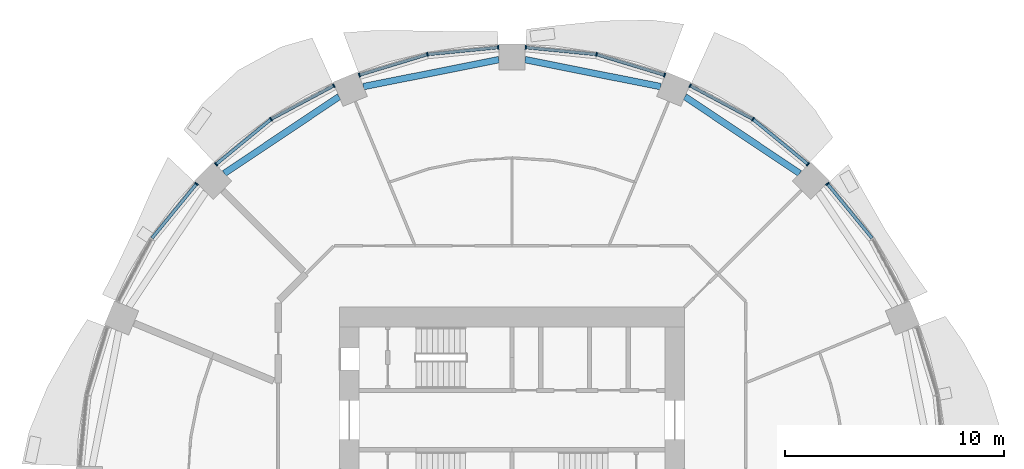
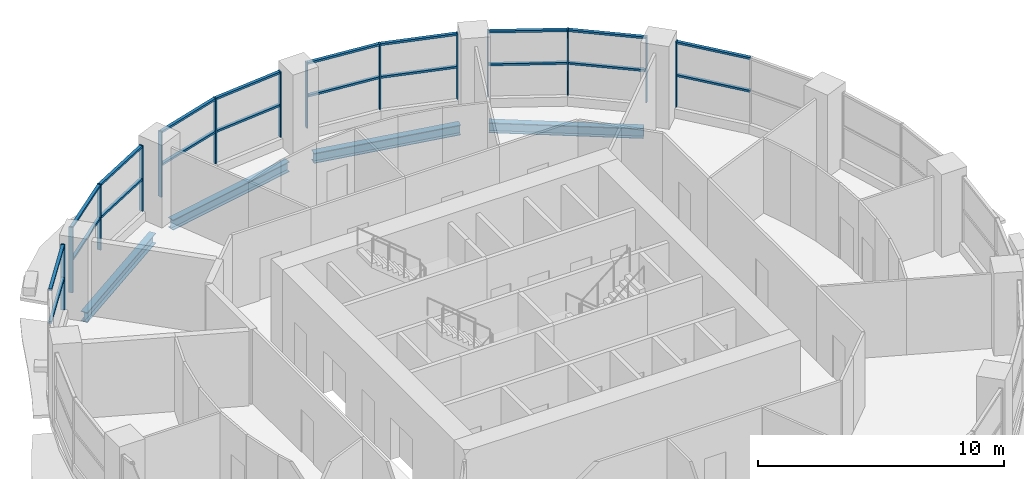
# One storey, part 5 of 14: 34 members, 4 beams, 6 elements without a shape of their own.
"""IFC4 building model written with IfcOpenShell, lengths in metres."""

from ifc_helpers import new_model, si_unit, direction, frame, origin, origin_2d, place, context, subcontext, project, spatial, rectangle, i_section, extrude, material, material_profile, profile_set, type_object, element, aggregate, save


model = new_model("IFC4")

# Units and contexts
model_context = context("Model", 3, precision=1e-05, world=origin(), true_north=direction((0.0, 1.0)))
body_context = subcontext(model_context, "Body", "Model", "MODEL_VIEW")
ifc_project = project(units=[si_unit("LENGTHUNIT", "METRE"), si_unit("AREAUNIT", "SQUARE_METRE"), si_unit("VOLUMEUNIT", "CUBIC_METRE"), si_unit("PLANEANGLEUNIT", "RADIAN"), si_unit("MASSUNIT", "GRAM", prefix="KILO")], contexts=[model_context])

# Site, building, storey
site_placement = place(None, origin())
site = spatial("IfcSite", under=ifc_project, at=site_placement, CompositionType="ELEMENT")
building_placement = place(site_placement, origin())
building = spatial("IfcBuilding", under=site, at=building_placement, Name="Polderwave Tower", CompositionType="ELEMENT")
storey_placement = place(building_placement, frame((0.0, 0.0, 14.39990234375)))
storey = spatial("IfcBuildingStorey", under=building, at=storey_placement, Name="L03", CompositionType="ELEMENT", Elevation=14.39990234375)

# Beams
ifc_material_1 = material(Name="Steel S355", Category="steel")
ifc_material_profile_1 = material_profile(ifc_material_1, i_section(OverallWidth=0.300048828125, OverallDepth=0.5, WebThickness=0.014404296875, FlangeThickness=0.028076171875, at=origin_2d()), Name="HE 500 B")
ifc_profile_set_1 = profile_set([ifc_material_profile_1], Name="Steel S355")
beam_type = type_object("IfcBeamType", Name="RING BEAM HE 500 B", PredefinedType="BEAM", material=ifc_profile_set_1)
for number, where, z_axis, x_axis, name in (
    (1, (13.13134765625, 13.97998046875, -0.64990234375), (-0.831471806715, 0.555566948836, 0.0), (-0.555566948836, -0.831471806715, 0.0), "ST-RB-L03-02"),
    (2, (6.781982421875, 17.94091796875, -0.64990234375), (-0.980782760841, 0.195102988285, 0.0), (-0.195102988285, -0.980782760841, 0.0), "ST-RB-L03-03"),
    (3, (-0.60009765625, 19.170654296875, -0.64990234375), (-0.980782760841, -0.195102988285, 0.0), (0.195102988285, -0.980782760841, 0.0), "ST-RB-L03-04"),
    (4, (-7.890625, 17.481689453125, -0.64990234375), (-0.831471806715, -0.555566948836, 0.0), (0.555566948836, -0.831471806715, 0.0), "ST-RB-L03-05"),
):
    element("IfcBeam", number, at=place(storey_placement, frame(where, z_axis=z_axis, x_axis=x_axis)), inside=storey, type_object=beam_type, Name=name, PredefinedType="BEAM", context=body_context, shape_type="SweptSolid", body=[
        extrude(i_section(OverallWidth=0.300048828125, OverallDepth=0.5, WebThickness=0.014404296875, FlangeThickness=0.028076171875, at=origin_2d()), origin(), (0.0, 0.0, 1.0), 6.302978515625),
    ])

# Curtain wall, member
ifc_material_2 = material(Name="Aluminium 6063-T6 and glass", Category="aluminium")
curtain_wall_type = type_object("IfcCurtainWallType", Name="Shopfront glazing wall", PredefinedType="NOTDEFINED", material=ifc_material_2)
curtain_wall_1_placement = place(storey_placement, origin())
curtain_wall_1 = element("IfcCurtainWall", 5, at=curtain_wall_1_placement, inside=storey, type_object=curtain_wall_type, Name="CW1 L03 01", PredefinedType="NOTDEFINED")
ifc_material_3 = material(Name="Aluminium 6063-T6", Category="aluminium")
ifc_material_profile_2 = material_profile(ifc_material_3, rectangle(XDim=0.179931640625, YDim=0.06005859375, at=origin_2d()), Name="AL 60x180")
ifc_profile_set_2 = profile_set([ifc_material_profile_2], Name="Aluminium 6063-T6")
member_type_1 = type_object("IfcMemberType", Name="Shopfront glazing mullion 60x180", PredefinedType="MULLION", material=ifc_profile_set_2)
member_1_placement = place(storey_placement, frame((14.39501953125, 13.5048828125, 0.4501953125), z_axis=(0.0, 0.0, 1.0), x_axis=(-0.772977235548, -0.634433758027, 0.0)))
member_1 = element("IfcMember", 6, at=member_1_placement, type_object=member_type_1, Name="CW1 mullion 3", PredefinedType="MULLION", context=body_context, shape_type="SweptSolid", body=[
    extrude(rectangle(XDim=0.179931640625, YDim=0.06005859375, at=origin_2d()), origin(), (0.0, 0.0, 1.0), 3.25),
])

# Curtain wall, members
curtain_wall_2_placement = place(storey_placement, origin())
curtain_wall_2 = element("IfcCurtainWall", 7, at=curtain_wall_2_placement, inside=storey, type_object=curtain_wall_type, Name="CW1 L03 02", PredefinedType="NOTDEFINED")
member_2_placement = place(storey_placement, frame((13.5048828125, 14.39501953125, 0.4501953125), z_axis=(0.0, 0.0, 1.0), x_axis=(-0.634433758027, -0.772977235548, 0.0)))
member_2 = element("IfcMember", 8, at=member_2_placement, type_object=member_type_1, Name="CW1 mullion 1", PredefinedType="MULLION", context=body_context, shape_type="SweptSolid", body=[
    extrude(rectangle(XDim=0.179931640625, YDim=0.06005859375, at=origin_2d()), origin(), (0.0, 0.0, 1.0), 3.25),
])
member_3_placement = place(storey_placement, frame((10.9951171875, 16.455078125, 0.4501953125), z_axis=(0.0, 0.0, 1.0), x_axis=(-0.555509281621, -0.831510335494, 0.0)))
member_3 = element("IfcMember", 9, at=member_3_placement, type_object=member_type_1, Name="CW1 mullion 2", PredefinedType="MULLION", context=body_context, shape_type="SweptSolid", body=[
    extrude(rectangle(XDim=0.179931640625, YDim=0.06005859375, at=origin_2d()), origin(), (0.0, 0.0, 1.0), 3.25),
])
member_4_placement = place(storey_placement, frame((8.131591796875, 17.98486328125, 0.4501953125), z_axis=(0.0, 0.0, 1.0), x_axis=(-0.471221253797, -0.882015039538, 0.0)))
member_4 = element("IfcMember", 10, at=member_4_placement, type_object=member_type_1, Name="CW1 mullion 3", PredefinedType="MULLION", context=body_context, shape_type="SweptSolid", body=[
    extrude(rectangle(XDim=0.179931640625, YDim=0.06005859375, at=origin_2d()), origin(), (0.0, 0.0, 1.0), 3.25),
])

curtain_wall_3_placement = place(storey_placement, origin())
curtain_wall_3 = element("IfcCurtainWall", 11, at=curtain_wall_3_placement, inside=storey, type_object=curtain_wall_type, Name="CW1 L03 03", PredefinedType="NOTDEFINED")
member_5_placement = place(storey_placement, frame((6.96728515625, 18.4677734375, 0.4501953125), z_axis=(0.0, 0.0, 1.0), x_axis=(-0.29028634743, -0.956939829088, 0.0)))
member_5 = element("IfcMember", 12, at=member_5_placement, type_object=member_type_1, Name="CW1 mullion 1", PredefinedType="MULLION", context=body_context, shape_type="SweptSolid", body=[
    extrude(rectangle(XDim=0.179931640625, YDim=0.06005859375, at=origin_2d()), origin(), (0.0, 0.0, 1.0), 3.25),
])
member_6_placement = place(storey_placement, frame((3.861083984375, 19.409912109375, 0.4501953125), z_axis=(0.0, 0.0, 1.0), x_axis=(-0.195064645051, -0.98079038752, 0.0)))
member_6 = element("IfcMember", 13, at=member_6_placement, type_object=member_type_1, Name="CW1 mullion 2", PredefinedType="MULLION", context=body_context, shape_type="SweptSolid", body=[
    extrude(rectangle(XDim=0.179931640625, YDim=0.06005859375, at=origin_2d()), origin(), (0.0, 0.0, 1.0), 3.25),
])
member_7_placement = place(storey_placement, frame((0.6298828125, 19.72802734375, 0.4501953125), z_axis=(0.0, 0.0, 1.0), x_axis=(-0.097963295511, -0.995190028453, 0.0)))
member_7 = element("IfcMember", 14, at=member_7_placement, type_object=member_type_1, Name="CW1 mullion 3", PredefinedType="MULLION", context=body_context, shape_type="SweptSolid", body=[
    extrude(rectangle(XDim=0.179931640625, YDim=0.06005859375, at=origin_2d()), origin(), (0.0, 0.0, 1.0), 3.25),
])

curtain_wall_4_placement = place(storey_placement, origin())
curtain_wall_4 = element("IfcCurtainWall", 15, at=curtain_wall_4_placement, inside=storey, type_object=curtain_wall_type, Name="CW1 L03 04", PredefinedType="NOTDEFINED")
member_8_placement = place(storey_placement, frame((-0.6298828125, 19.72802734375, 0.4501953125), z_axis=(0.0, 0.0, 1.0), x_axis=(0.097963295511, -0.995190028453, 0.0)))
member_8 = element("IfcMember", 16, at=member_8_placement, type_object=member_type_1, Name="CW1 mullion 1", PredefinedType="MULLION", context=body_context, shape_type="SweptSolid", body=[
    extrude(rectangle(XDim=0.179931640625, YDim=0.06005859375, at=origin_2d()), origin(), (0.0, 0.0, 1.0), 3.25),
])
member_9_placement = place(storey_placement, frame((-3.861083984375, 19.409912109375, 0.4501953125), z_axis=(0.0, 0.0, 1.0), x_axis=(0.195064645051, -0.98079038752, 0.0)))
member_9 = element("IfcMember", 17, at=member_9_placement, type_object=member_type_1, Name="CW1 mullion 2", PredefinedType="MULLION", context=body_context, shape_type="SweptSolid", body=[
    extrude(rectangle(XDim=0.179931640625, YDim=0.06005859375, at=origin_2d()), origin(), (0.0, 0.0, 1.0), 3.25),
])
member_10_placement = place(storey_placement, frame((-6.96728515625, 18.4677734375, 0.4501953125), z_axis=(0.0, 0.0, 1.0), x_axis=(0.29028634743, -0.956939829088, 0.0)))
member_10 = element("IfcMember", 18, at=member_10_placement, type_object=member_type_1, Name="CW1 mullion 3", PredefinedType="MULLION", context=body_context, shape_type="SweptSolid", body=[
    extrude(rectangle(XDim=0.179931640625, YDim=0.06005859375, at=origin_2d()), origin(), (0.0, 0.0, 1.0), 3.25),
])

curtain_wall_5_placement = place(storey_placement, origin())
curtain_wall_5 = element("IfcCurtainWall", 19, at=curtain_wall_5_placement, inside=storey, type_object=curtain_wall_type, Name="CW1 L03 05", PredefinedType="NOTDEFINED")
member_11_placement = place(storey_placement, frame((-8.131591796875, 17.98486328125, 0.4501953125), z_axis=(0.0, 0.0, 1.0), x_axis=(0.471221253797, -0.882015039538, 0.0)))
member_11 = element("IfcMember", 20, at=member_11_placement, type_object=member_type_1, Name="CW1 mullion 1", PredefinedType="MULLION", context=body_context, shape_type="SweptSolid", body=[
    extrude(rectangle(XDim=0.179931640625, YDim=0.06005859375, at=origin_2d()), origin(), (0.0, 0.0, 1.0), 3.25),
])
member_12_placement = place(storey_placement, frame((-10.9951171875, 16.455078125, 0.4501953125), z_axis=(0.0, 0.0, 1.0), x_axis=(0.555509281621, -0.831510335494, 0.0)))
member_12 = element("IfcMember", 21, at=member_12_placement, type_object=member_type_1, Name="CW1 mullion 2", PredefinedType="MULLION", context=body_context, shape_type="SweptSolid", body=[
    extrude(rectangle(XDim=0.179931640625, YDim=0.06005859375, at=origin_2d()), origin(), (0.0, 0.0, 1.0), 3.25),
])
member_13_placement = place(storey_placement, frame((-13.5048828125, 14.39501953125, 0.4501953125), z_axis=(0.0, 0.0, 1.0), x_axis=(0.634433758027, -0.772977235548, 0.0)))
member_13 = element("IfcMember", 22, at=member_13_placement, type_object=member_type_1, Name="CW1 mullion 3", PredefinedType="MULLION", context=body_context, shape_type="SweptSolid", body=[
    extrude(rectangle(XDim=0.179931640625, YDim=0.06005859375, at=origin_2d()), origin(), (0.0, 0.0, 1.0), 3.25),
])

# Curtain wall, member
curtain_wall_6_placement = place(storey_placement, origin())
curtain_wall_6 = element("IfcCurtainWall", 23, at=curtain_wall_6_placement, inside=storey, type_object=curtain_wall_type, Name="CW1 L03 06", PredefinedType="NOTDEFINED")
member_14_placement = place(storey_placement, frame((-14.39501953125, 13.5048828125, 0.4501953125), z_axis=(0.0, 0.0, 1.0), x_axis=(0.772977235548, -0.634433758027, 0.0)))
member_14 = element("IfcMember", 24, at=member_14_placement, type_object=member_type_1, Name="CW1 mullion 1", PredefinedType="MULLION", context=body_context, shape_type="SweptSolid", body=[
    extrude(rectangle(XDim=0.179931640625, YDim=0.06005859375, at=origin_2d()), origin(), (0.0, 0.0, 1.0), 3.25),
])

# Member
ifc_material_profile_3 = material_profile(ifc_material_3, rectangle(XDim=0.139892578125, YDim=0.10009765625, at=origin_2d()), Name="AL 100x140")
ifc_profile_set_3 = profile_set([ifc_material_profile_3], Name="Aluminium 6063-T6")
member_type_2 = type_object("IfcMemberType", Name="Shopfront glazing transom 100x140", PredefinedType="USERDEFINED", material=ifc_profile_set_3)
member_15_placement = place(storey_placement, frame((16.43603515625, 11.018310546875, 2.025146484375), z_axis=(-0.634455125331, 0.772959697488, 0.0), x_axis=(-0.772959697488, -0.634455125331, 0.0)))
member_15 = element("IfcMember", 25, at=member_15_placement, type_object=member_type_2, Name="CW1 transom 3", ObjectType="TRANSOM", PredefinedType="USERDEFINED", context=body_context, shape_type="SweptSolid", body=[
    extrude(rectangle(XDim=0.139892578125, YDim=0.10009765625, at=origin_2d()), origin(), (0.0, 0.0, 1.0), 3.18701171875),
])

member_16_placement = place(storey_placement, frame((16.43603515625, 11.018310546875, 3.650146484375), z_axis=(-0.634455125331, 0.772959697488, 0.0), x_axis=(-0.772959697488, -0.634455125331, 0.0)))
member_16 = element("IfcMember", 26, at=member_16_placement, type_object=member_type_2, Name="CW1 transom 4", ObjectType="TRANSOM", PredefinedType="USERDEFINED", context=body_context, shape_type="SweptSolid", body=[
    extrude(rectangle(XDim=0.139892578125, YDim=0.10009765625, at=origin_2d()), origin(), (0.0, 0.0, 1.0), 3.18701171875),
])

aggregate(curtain_wall_1, [member_1, member_15, member_16])

member_17_placement = place(storey_placement, frame((13.481689453125, 14.4140625, 2.025146484375), z_axis=(-0.772959697488, 0.634455125331, 0.0), x_axis=(-0.634455125331, -0.772959697488, 0.0)))
member_17 = element("IfcMember", 27, at=member_17_placement, type_object=member_type_2, Name="CW1 transom 1", ObjectType="TRANSOM", PredefinedType="USERDEFINED", context=body_context, shape_type="SweptSolid", body=[
    extrude(rectangle(XDim=0.139892578125, YDim=0.10009765625, at=origin_2d()), origin(), (0.0, 0.0, 1.0), 3.18701171875),
])

member_18_placement = place(storey_placement, frame((13.481689453125, 14.4140625, 3.650146484375), z_axis=(-0.772959697488, 0.634455125331, 0.0), x_axis=(-0.634455125331, -0.772959697488, 0.0)))
member_18 = element("IfcMember", 28, at=member_18_placement, type_object=member_type_2, Name="CW1 transom 2", ObjectType="TRANSOM", PredefinedType="USERDEFINED", context=body_context, shape_type="SweptSolid", body=[
    extrude(rectangle(XDim=0.139892578125, YDim=0.10009765625, at=origin_2d()), origin(), (0.0, 0.0, 1.0), 3.18701171875),
])

member_19_placement = place(storey_placement, frame((10.968505859375, 16.468994140625, 2.025146484375), z_axis=(-0.881994263934, 0.471260138764, 0.0), x_axis=(-0.471260138764, -0.881994263934, 0.0)))
member_19 = element("IfcMember", 29, at=member_19_placement, type_object=member_type_2, Name="CW1 transom 3", ObjectType="TRANSOM", PredefinedType="USERDEFINED", context=body_context, shape_type="SweptSolid", body=[
    extrude(rectangle(XDim=0.139892578125, YDim=0.10009765625, at=origin_2d()), origin(), (0.0, 0.0, 1.0), 3.1865234375),
])

member_20_placement = place(storey_placement, frame((10.968505859375, 16.468994140625, 3.650146484375), z_axis=(-0.881994263934, 0.471260138764, 0.0), x_axis=(-0.471260138764, -0.881994263934, 0.0)))
member_20 = element("IfcMember", 30, at=member_20_placement, type_object=member_type_2, Name="CW1 transom 4", ObjectType="TRANSOM", PredefinedType="USERDEFINED", context=body_context, shape_type="SweptSolid", body=[
    extrude(rectangle(XDim=0.139892578125, YDim=0.10009765625, at=origin_2d()), origin(), (0.0, 0.0, 1.0), 3.1865234375),
])

aggregate(curtain_wall_2, [member_2, member_3, member_4, member_17, member_18, member_19, member_20])

member_21_placement = place(storey_placement, frame((6.938720703125, 18.476318359375, 2.025146484375), z_axis=(-0.956929623317, 0.29031998901, 0.0), x_axis=(-0.29031998901, -0.956929623317, 0.0)))
member_21 = element("IfcMember", 31, at=member_21_placement, type_object=member_type_2, Name="CW1 transom 1", ObjectType="TRANSOM", PredefinedType="USERDEFINED", context=body_context, shape_type="SweptSolid", body=[
    extrude(rectangle(XDim=0.139892578125, YDim=0.10009765625, at=origin_2d()), origin(), (0.0, 0.0, 1.0), 3.186279296875),
])

member_22_placement = place(storey_placement, frame((6.938720703125, 18.476318359375, 3.650146484375), z_axis=(-0.956929623317, 0.29031998901, 0.0), x_axis=(-0.29031998901, -0.956929623317, 0.0)))
member_22 = element("IfcMember", 32, at=member_22_placement, type_object=member_type_2, Name="CW1 transom 2", ObjectType="TRANSOM", PredefinedType="USERDEFINED", context=body_context, shape_type="SweptSolid", body=[
    extrude(rectangle(XDim=0.139892578125, YDim=0.10009765625, at=origin_2d()), origin(), (0.0, 0.0, 1.0), 3.186279296875),
])

member_23_placement = place(storey_placement, frame((3.8310546875, 19.412841796875, 2.025146484375), z_axis=(-0.99518774033, 0.097986537327, 0.0), x_axis=(-0.097986537327, -0.99518774033, 0.0)))
member_23 = element("IfcMember", 33, at=member_23_placement, type_object=member_type_2, Name="CW1 transom 3", ObjectType="TRANSOM", PredefinedType="USERDEFINED", context=body_context, shape_type="SweptSolid", body=[
    extrude(rectangle(XDim=0.139892578125, YDim=0.10009765625, at=origin_2d()), origin(), (0.0, 0.0, 1.0), 3.186767578125),
])

member_24_placement = place(storey_placement, frame((3.8310546875, 19.412841796875, 3.650146484375), z_axis=(-0.99518774033, 0.097986537327, 0.0), x_axis=(-0.097986537327, -0.99518774033, 0.0)))
member_24 = element("IfcMember", 34, at=member_24_placement, type_object=member_type_2, Name="CW1 transom 4", ObjectType="TRANSOM", PredefinedType="USERDEFINED", context=body_context, shape_type="SweptSolid", body=[
    extrude(rectangle(XDim=0.139892578125, YDim=0.10009765625, at=origin_2d()), origin(), (0.0, 0.0, 1.0), 3.186767578125),
])

aggregate(curtain_wall_3, [member_5, member_6, member_7, member_21, member_22, member_23, member_24])

member_25_placement = place(storey_placement, frame((-0.65966796875, 19.72509765625, 2.025146484375), z_axis=(-0.99518774033, -0.097986537327, 0.0), x_axis=(0.097986537327, -0.99518774033, 0.0)))
member_25 = element("IfcMember", 35, at=member_25_placement, type_object=member_type_2, Name="CW1 transom 1", ObjectType="TRANSOM", PredefinedType="USERDEFINED", context=body_context, shape_type="SweptSolid", body=[
    extrude(rectangle(XDim=0.139892578125, YDim=0.10009765625, at=origin_2d()), origin(), (0.0, 0.0, 1.0), 3.186767578125),
])

member_26_placement = place(storey_placement, frame((-0.65966796875, 19.72509765625, 3.650146484375), z_axis=(-0.99518774033, -0.097986537327, 0.0), x_axis=(0.097986537327, -0.99518774033, 0.0)))
member_26 = element("IfcMember", 36, at=member_26_placement, type_object=member_type_2, Name="CW1 transom 2", ObjectType="TRANSOM", PredefinedType="USERDEFINED", context=body_context, shape_type="SweptSolid", body=[
    extrude(rectangle(XDim=0.139892578125, YDim=0.10009765625, at=origin_2d()), origin(), (0.0, 0.0, 1.0), 3.186767578125),
])

member_27_placement = place(storey_placement, frame((-3.8896484375, 19.4013671875, 2.025146484375), z_axis=(-0.956929623317, -0.29031998901, 0.0), x_axis=(0.29031998901, -0.956929623317, 0.0)))
member_27 = element("IfcMember", 37, at=member_27_placement, type_object=member_type_2, Name="CW1 transom 3", ObjectType="TRANSOM", PredefinedType="USERDEFINED", context=body_context, shape_type="SweptSolid", body=[
    extrude(rectangle(XDim=0.139892578125, YDim=0.10009765625, at=origin_2d()), origin(), (0.0, 0.0, 1.0), 3.186279296875),
])

member_28_placement = place(storey_placement, frame((-3.8896484375, 19.4013671875, 3.650146484375), z_axis=(-0.956929623317, -0.29031998901, 0.0), x_axis=(0.29031998901, -0.956929623317, 0.0)))
member_28 = element("IfcMember", 38, at=member_28_placement, type_object=member_type_2, Name="CW1 transom 4", ObjectType="TRANSOM", PredefinedType="USERDEFINED", context=body_context, shape_type="SweptSolid", body=[
    extrude(rectangle(XDim=0.139892578125, YDim=0.10009765625, at=origin_2d()), origin(), (0.0, 0.0, 1.0), 3.186279296875),
])

aggregate(curtain_wall_4, [member_8, member_9, member_10, member_25, member_26, member_27, member_28])

member_29_placement = place(storey_placement, frame((-8.157958984375, 17.970703125, 2.025146484375), z_axis=(-0.881994263934, -0.471260138764, 0.0), x_axis=(0.471260138764, -0.881994263934, 0.0)))
member_29 = element("IfcMember", 39, at=member_29_placement, type_object=member_type_2, Name="CW1 transom 1", ObjectType="TRANSOM", PredefinedType="USERDEFINED", context=body_context, shape_type="SweptSolid", body=[
    extrude(rectangle(XDim=0.139892578125, YDim=0.10009765625, at=origin_2d()), origin(), (0.0, 0.0, 1.0), 3.1865234375),
])

member_30_placement = place(storey_placement, frame((-8.157958984375, 17.970703125, 3.650146484375), z_axis=(-0.881994263934, -0.471260138764, 0.0), x_axis=(0.471260138764, -0.881994263934, 0.0)))
member_30 = element("IfcMember", 40, at=member_30_placement, type_object=member_type_2, Name="CW1 transom 2", ObjectType="TRANSOM", PredefinedType="USERDEFINED", context=body_context, shape_type="SweptSolid", body=[
    extrude(rectangle(XDim=0.139892578125, YDim=0.10009765625, at=origin_2d()), origin(), (0.0, 0.0, 1.0), 3.1865234375),
])

member_31_placement = place(storey_placement, frame((-11.018310546875, 16.43603515625, 2.025146484375), z_axis=(-0.772959697488, -0.634455125331, 0.0), x_axis=(0.634455125331, -0.772959697488, 0.0)))
member_31 = element("IfcMember", 41, at=member_31_placement, type_object=member_type_2, Name="CW1 transom 3", ObjectType="TRANSOM", PredefinedType="USERDEFINED", context=body_context, shape_type="SweptSolid", body=[
    extrude(rectangle(XDim=0.139892578125, YDim=0.10009765625, at=origin_2d()), origin(), (0.0, 0.0, 1.0), 3.18701171875),
])

member_32_placement = place(storey_placement, frame((-11.018310546875, 16.43603515625, 3.650146484375), z_axis=(-0.772959697488, -0.634455125331, 0.0), x_axis=(0.634455125331, -0.772959697488, 0.0)))
member_32 = element("IfcMember", 42, at=member_32_placement, type_object=member_type_2, Name="CW1 transom 4", ObjectType="TRANSOM", PredefinedType="USERDEFINED", context=body_context, shape_type="SweptSolid", body=[
    extrude(rectangle(XDim=0.139892578125, YDim=0.10009765625, at=origin_2d()), origin(), (0.0, 0.0, 1.0), 3.18701171875),
])

aggregate(curtain_wall_5, [member_11, member_12, member_13, member_29, member_30, member_31, member_32])

member_33_placement = place(storey_placement, frame((-14.4140625, 13.481689453125, 2.025146484375), z_axis=(-0.634455125331, -0.772959697488, 0.0), x_axis=(0.772959697488, -0.634455125331, 0.0)))
member_33 = element("IfcMember", 43, at=member_33_placement, type_object=member_type_2, Name="CW1 transom 1", ObjectType="TRANSOM", PredefinedType="USERDEFINED", context=body_context, shape_type="SweptSolid", body=[
    extrude(rectangle(XDim=0.139892578125, YDim=0.10009765625, at=origin_2d()), origin(), (0.0, 0.0, 1.0), 3.18701171875),
])

member_34_placement = place(storey_placement, frame((-14.4140625, 13.481689453125, 3.650146484375), z_axis=(-0.634455125331, -0.772959697488, 0.0), x_axis=(0.772959697488, -0.634455125331, 0.0)))
member_34 = element("IfcMember", 44, at=member_34_placement, type_object=member_type_2, Name="CW1 transom 2", ObjectType="TRANSOM", PredefinedType="USERDEFINED", context=body_context, shape_type="SweptSolid", body=[
    extrude(rectangle(XDim=0.139892578125, YDim=0.10009765625, at=origin_2d()), origin(), (0.0, 0.0, 1.0), 3.18701171875),
])

aggregate(curtain_wall_6, [member_14, member_33, member_34])

save(model, "model.ifc")
